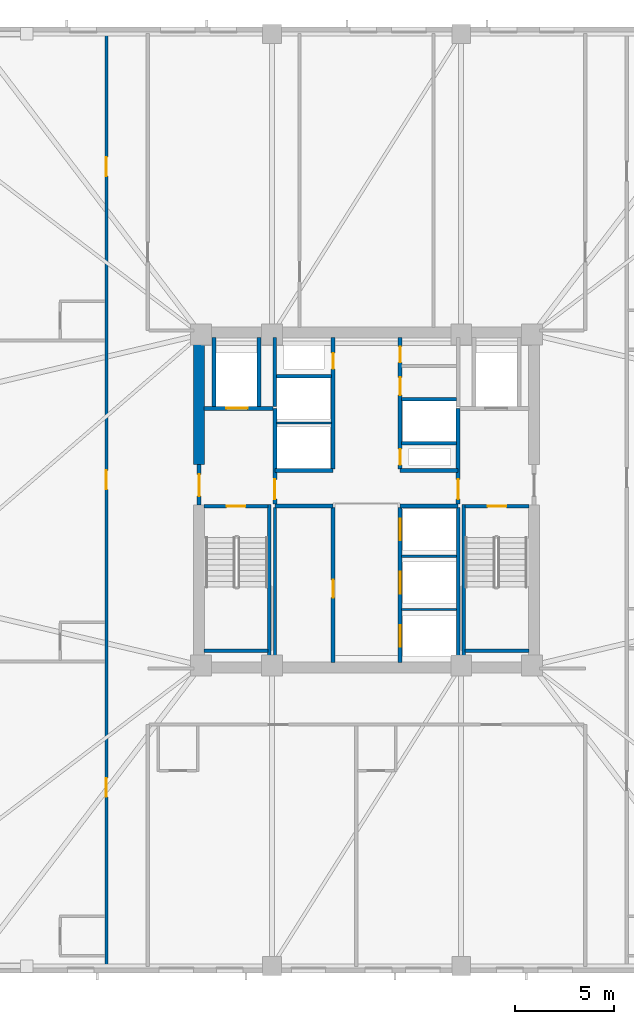
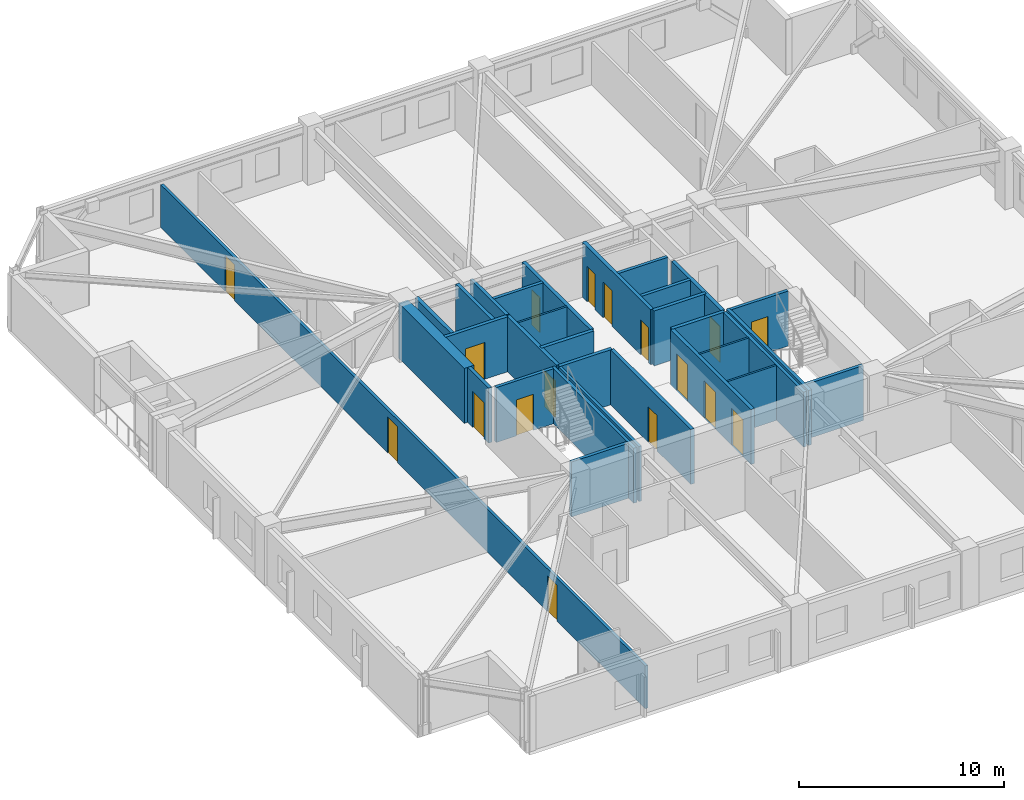
# One storey, part 3 of 10: 31 walls, 17 doors, 17 openings.
"""IFC4 building model written with IfcOpenShell, lengths in metres."""

from ifc_helpers import new_model, si_unit, direction, frame, frame_2d, origin, place, context, subcontext, project, spatial, rectangle, extrude, material, layer, layer_set, type_object, element, fill, save


model = new_model("IFC4")

# Units and contexts
model_context = context("Model", 3, precision=1e-05, world=origin(), true_north=direction((0.0, 1.0)))
body_context = subcontext(model_context, "Body", "Model", "MODEL_VIEW")
ifc_project = project(units=[si_unit("LENGTHUNIT", "METRE"), si_unit("AREAUNIT", "SQUARE_METRE"), si_unit("VOLUMEUNIT", "CUBIC_METRE"), si_unit("PLANEANGLEUNIT", "RADIAN"), si_unit("MASSUNIT", "GRAM", prefix="KILO")], contexts=[model_context])

# Site, building, storey
site_placement = place(None, origin())
site = spatial("IfcSite", under=ifc_project, at=site_placement, CompositionType="ELEMENT")
building_placement = place(site_placement, origin())
building = spatial("IfcBuilding", under=site, at=building_placement, Name="Cairnveth Concourse Tower", CompositionType="ELEMENT")
storey_placement = place(building_placement, frame((0.0, 0.0, 113.0)))
storey = spatial("IfcBuildingStorey", under=building, at=storey_placement, Name="L30", CompositionType="ELEMENT", Elevation=113.0)

# Wall
ifc_material_1 = material(Name="Gypsum Plasterboard Partition", Category="gypsum")
ifc_layer_1 = layer(ifc_material_1, 0.159912109375)
ifc_layer_set_1 = layer_set([ifc_layer_1], Name="Gypsum Plasterboard Partition")
wall_type_1 = type_object("IfcWallType", Name="ACOUSTIC PARTY WALL 180", PredefinedType="PARTITIONING", material=ifc_layer_set_1)
wall_1_placement = place(storey_placement, frame((47.35009765625, 30.760009765625, 0.0), z_axis=(0.0, 0.0, 1.0), x_axis=(0.0, 1.0, 0.0)))
element("IfcWall", 1, at=wall_1_placement, inside=storey, type_object=wall_type_1, Name="Interior Wall IW-L30-025", PredefinedType="PARTITIONING", context=body_context, shape_type="SweptSolid", body=[
    extrude(rectangle(XDim=7.85498046875, YDim=0.159912109375, at=frame_2d((3.927490234375, 0.0))), origin(), (0.0, 0.0, 1.0), 3.280029296875),
])

# Wall, openings, doors
wall_2_placement = place(storey_placement, frame((38.800048828125, 15.324951171875, 0.0), z_axis=(0.0, 0.0, 1.0), x_axis=(0.0, 1.0, 0.0)))
wall_2 = element("IfcWall", 2, at=wall_2_placement, inside=storey, type_object=wall_type_1, Name="Interior Wall IW-L30-036", PredefinedType="PARTITIONING", context=body_context, shape_type="SweptSolid", body=[
    extrude(rectangle(XDim=47.35009765625, YDim=0.159912109375, at=frame_2d((23.675048828125, 0.0))), origin(), (0.0, 0.0, 1.0), 2.554931640625),
])
opening_1_placement = place(wall_2_placement, frame((8.60595703125, 0.0, 0.0)))
opening_1 = element("IfcOpeningElement", 3, at=opening_1_placement, cuts=wall_2, Name="Opening ID09", PredefinedType="OPENING", context=body_context, shape_type="SweptSolid", body=[
    extrude(rectangle(XDim=0.9599609375, YDim=2.14990234375, at=frame_2d((0.47998046875, 1.074951171875))), frame((0.0, 0.08984375, 0.0), z_axis=(0.0, -1.0, 0.0), x_axis=(1.0, 0.0, 0.0)), (0.0, 0.0, 1.0), 0.179931640625),
])
opening_2_placement = place(wall_2_placement, frame((24.218017578125, 0.0, 0.0)))
opening_2 = element("IfcOpeningElement", 4, at=opening_2_placement, cuts=wall_2, Name="Opening ID09", PredefinedType="OPENING", context=body_context, shape_type="SweptSolid", body=[
    extrude(rectangle(XDim=0.9599609375, YDim=2.14990234375, at=frame_2d((0.47998046875, 1.074951171875))), frame((0.0, 0.08984375, 0.0), z_axis=(0.0, -1.0, 0.0), x_axis=(1.0, 0.0, 0.0)), (0.0, 0.0, 1.0), 0.179931640625),
])
opening_3_placement = place(wall_2_placement, frame((40.10693359375, 0.0, 0.0)))
opening_3 = element("IfcOpeningElement", 5, at=opening_3_placement, cuts=wall_2, Name="Opening ID09", PredefinedType="OPENING", context=body_context, shape_type="SweptSolid", body=[
    extrude(rectangle(XDim=0.9599609375, YDim=2.14990234375, at=frame_2d((0.47998046875, 1.074951171875))), frame((0.0, 0.08984375, 0.0), z_axis=(0.0, -1.0, 0.0), x_axis=(1.0, 0.0, 0.0)), (0.0, 0.0, 1.0), 0.179931640625),
])
ifc_material_2 = material(Name="Solid Core Hardwood Timber Leaf", Category="wood")
door_type_1 = type_object("IfcDoorType", Name="HOTEL ENTRANCE DOOR 960X2150", OperationType="NOTDEFINED", PredefinedType="DOOR", material=ifc_material_2)
door_1_placement = place(opening_1_placement, origin())
door_1 = element("IfcDoor", 6, at=door_1_placement, inside=storey, type_object=door_type_1, Name="Hotel Room Door L30-W1", OperationType="SINGLE_SWING_LEFT", OverallHeight=2.14990234375, OverallWidth=0.9599609375, PredefinedType="DOOR", context=body_context, shape_type="SweptSolid", body=[
    extrude(rectangle(XDim=0.9599609375, YDim=2.14990234375, at=frame_2d((0.47998046875, 1.074951171875))), frame((0.0, 0.02490234375, 0.0), z_axis=(0.0, -1.0, 0.0), x_axis=(1.0, 0.0, 0.0)), (0.0, 0.0, 1.0), 0.050048828125),
])
fill(opening_1, door_1)
door_2_placement = place(opening_2_placement, origin())
door_2 = element("IfcDoor", 7, at=door_2_placement, inside=storey, type_object=door_type_1, Name="Hotel Room Door L30-W2", OperationType="SINGLE_SWING_LEFT", OverallHeight=2.14990234375, OverallWidth=0.9599609375, PredefinedType="DOOR", context=body_context, shape_type="SweptSolid", body=[
    extrude(rectangle(XDim=0.9599609375, YDim=2.14990234375, at=frame_2d((0.47998046875, 1.074951171875))), frame((0.0, 0.02490234375, 0.0), z_axis=(0.0, -1.0, 0.0), x_axis=(1.0, 0.0, 0.0)), (0.0, 0.0, 1.0), 0.050048828125),
])
fill(opening_2, door_2)
door_3_placement = place(opening_3_placement, origin())
door_3 = element("IfcDoor", 8, at=door_3_placement, inside=storey, type_object=door_type_1, Name="Hotel Room Door L30-W3", OperationType="SINGLE_SWING_LEFT", OverallHeight=2.14990234375, OverallWidth=0.9599609375, PredefinedType="DOOR", context=body_context, shape_type="SweptSolid", body=[
    extrude(rectangle(XDim=0.9599609375, YDim=2.14990234375, at=frame_2d((0.47998046875, 1.074951171875))), frame((0.0, 0.02490234375, 0.0), z_axis=(0.0, -1.0, 0.0), x_axis=(1.0, 0.0, 0.0)), (0.0, 0.0, 1.0), 0.050048828125),
])
fill(opening_3, door_3)

# Walls
ifc_material_3 = material(Name="Concrete N80 (80 MPa)", Category="concrete")
ifc_layer_2 = layer(ifc_material_3, 0.550048828125)
ifc_layer_set_2 = layer_set([ifc_layer_2], Name="Concrete N80 (80 MPa)")
wall_type_2 = type_object("IfcWallType", Name="CORE SHEAR WALL 550", PredefinedType="SHEAR", material=ifc_layer_set_2)
wall_3_placement = place(storey_placement, frame((43.5, 40.800048828125, 0.0), z_axis=(0.0, 0.0, 1.0), x_axis=(0.0, 1.0, 0.0)))
element("IfcWall", 9, at=wall_3_placement, inside=storey, type_object=wall_type_2, Name="Core West Shear Wall N L30", PredefinedType="SHEAR", context=body_context, shape_type="SweptSolid", body=[
    extrude(rectangle(XDim=6.43505859375, YDim=0.550048828125, at=frame_2d((3.217529296875, 0.0))), origin(), (0.0, 0.0, 1.0), 3.280029296875),
])
ifc_material_4 = material(Name="Concrete N50 (50 MPa)", Category="concrete")
ifc_layer_3 = layer(ifc_material_4, 0.179931640625)
ifc_layer_set_3 = layer_set([ifc_layer_3], Name="Concrete N50 (50 MPa)")
wall_type_3 = type_object("IfcWallType", Name="FIRE SHAFT WALL 180", PredefinedType="SOLIDWALL", material=ifc_layer_set_3)
wall_4_placement = place(storey_placement, frame((56.64990234375, 30.760009765625, 0.0), z_axis=(0.0, 0.0, 1.0), x_axis=(0.0, 1.0, 0.0)))
element("IfcWall", 10, at=wall_4_placement, inside=storey, type_object=wall_type_3, Name="Interior Wall IW-L30-026", PredefinedType="SOLIDWALL", context=body_context, shape_type="SweptSolid", body=[
    extrude(rectangle(XDim=7.85498046875, YDim=0.179931640625, at=frame_2d((3.927490234375, 0.0))), origin(), (0.0, 0.0, 1.0), 3.280029296875),
])
wall_5_placement = place(storey_placement, frame((47.35009765625, 43.735107421875, 0.0), z_axis=(0.0, 0.0, 1.0), x_axis=(0.0, 1.0, 0.0)))
element("IfcWall", 11, at=wall_5_placement, inside=storey, type_object=wall_type_3, Name="Interior Wall IW-L30-029", PredefinedType="SOLIDWALL", context=body_context, shape_type="SweptSolid", body=[
    extrude(rectangle(XDim=3.5048828125, YDim=0.179931640625, at=frame_2d((1.75244140625, 0.0))), origin(), (0.0, 0.0, 1.0), 3.280029296875),
])
wall_6_placement = place(storey_placement, frame((47.425048828125, 45.280029296875, 0.0), z_axis=(0.0, 0.0, 1.0), x_axis=(1.0, 0.0, 0.0)))
element("IfcWall", 12, at=wall_6_placement, inside=storey, type_object=wall_type_3, Name="Interior Wall IW-L30-031", PredefinedType="SOLIDWALL", context=body_context, shape_type="SweptSolid", body=[
    extrude(rectangle(XDim=2.7900390625, YDim=0.179931640625, at=frame_2d((1.39501953125, 0.0))), origin(), (0.0, 0.0, 1.0), 3.280029296875),
])
wall_7_placement = place(storey_placement, frame((53.784912109375, 41.8798828125, 0.0), z_axis=(0.0, 0.0, 1.0), x_axis=(1.0, 0.0, 0.0)))
element("IfcWall", 13, at=wall_7_placement, inside=storey, type_object=wall_type_3, Name="Interior Wall IW-L30-033", PredefinedType="SOLIDWALL", context=body_context, shape_type="SweptSolid", body=[
    extrude(rectangle(XDim=2.780029296875, YDim=0.179931640625, at=frame_2d((1.39013671875, 0.0))), origin(), (0.0, 0.0, 1.0), 3.280029296875),
])
wall_8_placement = place(storey_placement, frame((53.784912109375, 44.1201171875, 0.0), z_axis=(0.0, 0.0, 1.0), x_axis=(1.0, 0.0, 0.0)))
element("IfcWall", 14, at=wall_8_placement, inside=storey, type_object=wall_type_3, Name="Interior Wall IW-L30-034", PredefinedType="SOLIDWALL", context=body_context, shape_type="SweptSolid", body=[
    extrude(rectangle(XDim=2.7900390625, YDim=0.179931640625, at=frame_2d((1.39501953125, 0.0))), origin(), (0.0, 0.0, 1.0), 3.280029296875),
])

# Wall, opening, door
wall_9_placement = place(storey_placement, frame((43.764892578125, 38.68994140625, 0.0), z_axis=(0.0, 0.0, 1.0), x_axis=(1.0, 0.0, 0.0)))
wall_9 = element("IfcWall", 15, at=wall_9_placement, inside=storey, type_object=wall_type_3, Name="Stair ST-1 Shaft Wall NEAR L30", PredefinedType="SOLIDWALL", context=body_context, shape_type="SweptSolid", body=[
    extrude(rectangle(XDim=3.230224609375, YDim=0.179931640625, at=frame_2d((1.615234375, 0.0))), origin(), (0.0, 0.0, 1.0), 3.280029296875),
])
opening_4_placement = place(wall_9_placement, frame((1.139892578125, 0.0, 0.0)))
opening_4 = element("IfcOpeningElement", 16, at=opening_4_placement, cuts=wall_9, Name="Opening ID12", PredefinedType="OPENING", context=body_context, shape_type="SweptSolid", body=[
    extrude(rectangle(XDim=0.949951171875, YDim=2.14990234375, at=frame_2d((0.47509765625, 1.074951171875))), frame((0.0, 0.099853515625, 0.0), z_axis=(0.0, -1.0, 0.0), x_axis=(1.0, 0.0, 0.0)), (0.0, 0.0, 1.0), 0.199951171875),
])
ifc_material_5 = material(Name="Steel Grade 350", Category="steel")
door_type_2 = type_object("IfcDoorType", Name="FIRE STAIR DOOR 950X2150", OperationType="NOTDEFINED", PredefinedType="DOOR", material=ifc_material_5)
door_4_placement = place(opening_4_placement, origin())
door_4 = element("IfcDoor", 17, at=door_4_placement, inside=storey, type_object=door_type_2, Name="Stair ST-1 Fire Door L30", OperationType="SINGLE_SWING_LEFT", OverallHeight=2.14990234375, OverallWidth=0.949951171875, PredefinedType="DOOR", context=body_context, shape_type="SweptSolid", body=[
    extrude(rectangle(XDim=0.949951171875, YDim=2.14990234375, at=frame_2d((0.47509765625, 1.074951171875))), frame((0.0, 0.02490234375, 0.0), z_axis=(0.0, -1.0, 0.0), x_axis=(1.0, 0.0, 0.0)), (0.0, 0.0, 1.0), 0.050048828125),
])
fill(opening_4, door_4)

# Walls
wall_10_placement = place(storey_placement, frame((43.764892578125, 31.360107421875, 0.0), z_axis=(0.0, 0.0, 1.0), x_axis=(1.0, 0.0, 0.0)))
element("IfcWall", 18, at=wall_10_placement, inside=storey, type_object=wall_type_3, Name="Stair ST-1 Shaft Wall FAR L30", PredefinedType="SOLIDWALL", context=body_context, shape_type="SweptSolid", body=[
    extrude(rectangle(XDim=3.230224609375, YDim=0.179931640625, at=frame_2d((1.615234375, 0.0))), origin(), (0.0, 0.0, 1.0), 3.280029296875),
])
wall_11_placement = place(storey_placement, frame((47.070068359375, 38.780029296875, 0.0), z_axis=(0.0, 0.0, 1.0), x_axis=(0.0, -1.0, 0.0)))
element("IfcWall", 19, at=wall_11_placement, inside=storey, type_object=wall_type_3, Name="Stair ST-1 Shaft Wall RGHT L30", PredefinedType="SOLIDWALL", context=body_context, shape_type="SweptSolid", body=[
    extrude(rectangle(XDim=8.01708984375, YDim=0.179931640625, at=frame_2d((4.008544921875, 0.0))), origin(), (0.0, 0.0, 1.0), 3.280029296875),
])

# Wall, opening, door
wall_12_placement = place(storey_placement, frame((57.0048828125, 38.68994140625, 0.0), z_axis=(0.0, 0.0, 1.0), x_axis=(1.0, 0.0, 0.0)))
wall_12 = element("IfcWall", 20, at=wall_12_placement, inside=storey, type_object=wall_type_3, Name="Stair ST-2 Shaft Wall NEAR L30", PredefinedType="SOLIDWALL", context=body_context, shape_type="SweptSolid", body=[
    extrude(rectangle(XDim=3.230224609375, YDim=0.179931640625, at=frame_2d((1.615234375, 0.0))), origin(), (0.0, 0.0, 1.0), 3.280029296875),
])
opening_5_placement = place(wall_12_placement, frame((1.139892578125, 0.0, 0.0)))
opening_5 = element("IfcOpeningElement", 21, at=opening_5_placement, cuts=wall_12, Name="Opening ID12", PredefinedType="OPENING", context=body_context, shape_type="SweptSolid", body=[
    extrude(rectangle(XDim=0.949951171875, YDim=2.14990234375, at=frame_2d((0.47509765625, 1.074951171875))), frame((0.0, 0.099853515625, 0.0), z_axis=(0.0, -1.0, 0.0), x_axis=(1.0, 0.0, 0.0)), (0.0, 0.0, 1.0), 0.199951171875),
])
door_5_placement = place(opening_5_placement, origin())
door_5 = element("IfcDoor", 22, at=door_5_placement, inside=storey, type_object=door_type_2, Name="Stair ST-2 Fire Door L30", OperationType="SINGLE_SWING_RIGHT", OverallHeight=2.14990234375, OverallWidth=0.949951171875, PredefinedType="DOOR", context=body_context, shape_type="SweptSolid", body=[
    extrude(rectangle(XDim=0.949951171875, YDim=2.14990234375, at=frame_2d((0.47509765625, 1.074951171875))), frame((0.0, 0.02490234375, 0.0), z_axis=(0.0, -1.0, 0.0), x_axis=(1.0, 0.0, 0.0)), (0.0, 0.0, 1.0), 0.050048828125),
])
fill(opening_5, door_5)

# Walls
wall_13_placement = place(storey_placement, frame((57.0048828125, 31.360107421875, 0.0), z_axis=(0.0, 0.0, 1.0), x_axis=(1.0, 0.0, 0.0)))
element("IfcWall", 23, at=wall_13_placement, inside=storey, type_object=wall_type_3, Name="Stair ST-2 Shaft Wall FAR L30", PredefinedType="SOLIDWALL", context=body_context, shape_type="SweptSolid", body=[
    extrude(rectangle(XDim=3.230224609375, YDim=0.179931640625, at=frame_2d((1.615234375, 0.0))), origin(), (0.0, 0.0, 1.0), 3.280029296875),
])
wall_14_placement = place(storey_placement, frame((56.929931640625, 38.780029296875, 0.0), z_axis=(0.0, 0.0, 1.0), x_axis=(0.0, -1.0, 0.0)))
element("IfcWall", 24, at=wall_14_placement, inside=storey, type_object=wall_type_3, Name="Stair ST-2 Shaft Wall LEFT L30", PredefinedType="SOLIDWALL", context=body_context, shape_type="SweptSolid", body=[
    extrude(rectangle(XDim=8.01708984375, YDim=0.179931640625, at=frame_2d((4.008544921875, 0.0))), origin(), (0.0, 0.0, 1.0), 3.280029296875),
])
ifc_layer_4 = layer(ifc_material_4, 0.199951171875)
ifc_layer_set_4 = layer_set([ifc_layer_4], Name="Concrete N50 (50 MPa)")
wall_type_4 = type_object("IfcWallType", Name="FIRE SHAFT WALL 200", PredefinedType="SOLIDWALL", material=ifc_layer_set_4)
for number, where, z_axis, x_axis, name in (
    (25, (47.35009765625, 38.699951171875, 0.0), (0.0, 0.0, 1.0), (1.0, 0.0, 0.0), "Interior Wall IW-L30-007"),
    (26, (47.35009765625, 40.5, 0.0), (0.0, 0.0, 1.0), (1.0, 0.0, 0.0), "Interior Wall IW-L30-008"),
    (27, (53.699951171875, 38.699951171875, 0.0), (0.0, 0.0, 1.0), (1.0, 0.0, 0.0), "Interior Wall IW-L30-009"),
    (28, (53.699951171875, 40.5, 0.0), (0.0, 0.0, 1.0), (1.0, 0.0, 0.0), "Interior Wall IW-L30-010"),
):
    element("IfcWall", number, at=place(storey_placement, frame(where, z_axis=z_axis, x_axis=x_axis)), inside=storey, type_object=wall_type_4, Name=name, PredefinedType="SOLIDWALL", context=body_context, shape_type="SweptSolid", body=[
        extrude(rectangle(XDim=2.949951171875, YDim=0.199951171875, at=frame_2d((1.47509765625, 0.0))), origin(), (0.0, 0.0, 1.0), 3.280029296875),
    ])

# Wall, opening, door
wall_15_placement = place(storey_placement, frame((50.300048828125, 30.760009765625, 0.0), z_axis=(0.0, 0.0, 1.0), x_axis=(0.0, 1.0, 0.0)))
wall_15 = element("IfcWall", 29, at=wall_15_placement, inside=storey, type_object=wall_type_4, Name="Interior Wall IW-L30-011", PredefinedType="SOLIDWALL", context=body_context, shape_type="SweptSolid", body=[
    extrude(rectangle(XDim=7.85498046875, YDim=0.199951171875, at=frame_2d((3.927490234375, 0.0))), origin(), (0.0, 0.0, 1.0), 3.280029296875),
])
opening_6_placement = place(wall_15_placement, frame((3.2900390625, 0.0, 0.0)))
opening_6 = element("IfcOpeningElement", 30, at=opening_6_placement, cuts=wall_15, Name="Opening ID16", PredefinedType="OPENING", context=body_context, shape_type="SweptSolid", body=[
    extrude(rectangle(XDim=0.89990234375, YDim=2.1201171875, at=frame_2d((0.449951171875, 1.06005859375))), frame((0.0, 0.10986328125, 0.0), z_axis=(0.0, -1.0, 0.0), x_axis=(1.0, 0.0, 0.0)), (0.0, 0.0, 1.0), 0.219970703125),
])
door_type_3 = type_object("IfcDoorType", Name="CORE SERVICE DOOR 900X2100", OperationType="NOTDEFINED", PredefinedType="DOOR", material=ifc_material_5)
door_6_placement = place(opening_6_placement, origin())
door_6 = element("IfcDoor", 31, at=door_6_placement, inside=storey, type_object=door_type_3, Name="Linen Pantry Suite Door L30", OperationType="SINGLE_SWING_LEFT", OverallHeight=2.1201171875, OverallWidth=0.89990234375, PredefinedType="DOOR", context=body_context, shape_type="SweptSolid", body=[
    extrude(rectangle(XDim=0.89990234375, YDim=2.1201171875, at=frame_2d((0.449951171875, 1.06005859375))), frame((0.0, 0.02490234375, 0.0), z_axis=(0.0, -1.0, 0.0), x_axis=(1.0, 0.0, 0.0)), (0.0, 0.0, 1.0), 0.050048828125),
])
fill(opening_6, door_6)

# Wall, openings, doors
wall_16_placement = place(storey_placement, frame((53.699951171875, 30.760009765625, 0.0), z_axis=(0.0, 0.0, 1.0), x_axis=(0.0, 1.0, 0.0)))
wall_16 = element("IfcWall", 32, at=wall_16_placement, inside=storey, type_object=wall_type_4, Name="Interior Wall IW-L30-012", PredefinedType="SOLIDWALL", context=body_context, shape_type="SweptSolid", body=[
    extrude(rectangle(XDim=7.85498046875, YDim=0.199951171875, at=frame_2d((3.927490234375, 0.0))), origin(), (0.0, 0.0, 1.0), 3.280029296875),
])
opening_7_placement = place(wall_16_placement, frame((0.7900390625, 0.0, 0.0)))
opening_7 = element("IfcOpeningElement", 33, at=opening_7_placement, cuts=wall_16, Name="Opening LD-1", PredefinedType="OPENING", context=body_context, shape_type="SweptSolid", body=[
    extrude(rectangle(XDim=1.10009765625, YDim=2.199951171875, at=frame_2d((0.550048828125, 1.10009765625))), frame((0.0, 0.10986328125, 0.0), z_axis=(0.0, -1.0, 0.0), x_axis=(1.0, 0.0, 0.0)), (0.0, 0.0, 1.0), 0.219970703125),
])
opening_8_placement = place(wall_16_placement, frame((3.489990234375, 0.0, 0.0)))
opening_8 = element("IfcOpeningElement", 34, at=opening_8_placement, cuts=wall_16, Name="Opening LD-1", PredefinedType="OPENING", context=body_context, shape_type="SweptSolid", body=[
    extrude(rectangle(XDim=1.10009765625, YDim=2.199951171875, at=frame_2d((0.550048828125, 1.10009765625))), frame((0.0, 0.10986328125, 0.0), z_axis=(0.0, -1.0, 0.0), x_axis=(1.0, 0.0, 0.0)), (0.0, 0.0, 1.0), 0.219970703125),
])
opening_9_placement = place(wall_16_placement, frame((6.18994140625, 0.0, 0.0)))
opening_9 = element("IfcOpeningElement", 35, at=opening_9_placement, cuts=wall_16, Name="Opening LD-1", PredefinedType="OPENING", context=body_context, shape_type="SweptSolid", body=[
    extrude(rectangle(XDim=1.10009765625, YDim=2.199951171875, at=frame_2d((0.550048828125, 1.10009765625))), frame((0.0, 0.10986328125, 0.0), z_axis=(0.0, -1.0, 0.0), x_axis=(1.0, 0.0, 0.0)), (0.0, 0.0, 1.0), 0.219970703125),
])
ifc_material_6 = material(Name="Architectural Bronze Anodised Aluminium 6063-T6", Category="aluminium")
door_type_4 = type_object("IfcDoorType", Name="LIFT LANDING DOOR 1100X2200", OperationType="SLIDING_TO_LEFT", PredefinedType="DOOR", material=ifc_material_6)
door_7_placement = place(opening_7_placement, origin())
door_7 = element("IfcDoor", 36, at=door_7_placement, inside=storey, type_object=door_type_4, Name="Lift PL4 Landing Door L30", OperationType="SLIDING_TO_LEFT", OverallHeight=2.199951171875, OverallWidth=1.10009765625, PredefinedType="DOOR", context=body_context, shape_type="SweptSolid", body=[
    extrude(rectangle(XDim=1.10009765625, YDim=2.199951171875, at=frame_2d((0.550048828125, 1.10009765625))), frame((0.0, 0.02490234375, 0.0), z_axis=(0.0, -1.0, 0.0), x_axis=(1.0, 0.0, 0.0)), (0.0, 0.0, 1.0), 0.050048828125),
])
fill(opening_7, door_7)
door_8_placement = place(opening_8_placement, origin())
door_8 = element("IfcDoor", 37, at=door_8_placement, inside=storey, type_object=door_type_4, Name="Lift PL5 Landing Door L30", OperationType="SLIDING_TO_LEFT", OverallHeight=2.199951171875, OverallWidth=1.10009765625, PredefinedType="DOOR", context=body_context, shape_type="SweptSolid", body=[
    extrude(rectangle(XDim=1.10009765625, YDim=2.199951171875, at=frame_2d((0.550048828125, 1.10009765625))), frame((0.0, 0.02490234375, 0.0), z_axis=(0.0, -1.0, 0.0), x_axis=(1.0, 0.0, 0.0)), (0.0, 0.0, 1.0), 0.050048828125),
])
fill(opening_8, door_8)
door_9_placement = place(opening_9_placement, origin())
door_9 = element("IfcDoor", 38, at=door_9_placement, inside=storey, type_object=door_type_4, Name="Lift PL6 Landing Door L30", OperationType="SLIDING_TO_LEFT", OverallHeight=2.199951171875, OverallWidth=1.10009765625, PredefinedType="DOOR", context=body_context, shape_type="SweptSolid", body=[
    extrude(rectangle(XDim=1.10009765625, YDim=2.199951171875, at=frame_2d((0.550048828125, 1.10009765625))), frame((0.0, 0.02490234375, 0.0), z_axis=(0.0, -1.0, 0.0), x_axis=(1.0, 0.0, 0.0)), (0.0, 0.0, 1.0), 0.050048828125),
])
fill(opening_9, door_9)

# Wall, opening, door
wall_17_placement = place(storey_placement, frame((50.300048828125, 40.5849609375, 0.0), z_axis=(0.0, 0.0, 1.0), x_axis=(0.0, 1.0, 0.0)))
wall_17 = element("IfcWall", 39, at=wall_17_placement, inside=storey, type_object=wall_type_4, Name="Interior Wall IW-L30-013", PredefinedType="SOLIDWALL", context=body_context, shape_type="SweptSolid", body=[
    extrude(rectangle(XDim=6.655029296875, YDim=0.199951171875, at=frame_2d((3.32763671875, 0.0))), origin(), (0.0, 0.0, 1.0), 3.280029296875),
])
opening_10_placement = place(wall_17_placement, frame((5.06494140625, 0.0, 0.0)))
opening_10 = element("IfcOpeningElement", 40, at=opening_10_placement, cuts=wall_17, Name="Opening ID24", PredefinedType="OPENING", context=body_context, shape_type="SweptSolid", body=[
    extrude(rectangle(XDim=0.800048828125, YDim=2.080078125, at=frame_2d((0.39990234375, 1.0400390625))), frame((0.0, 0.10986328125, 0.0), z_axis=(0.0, -1.0, 0.0), x_axis=(1.0, 0.0, 0.0)), (0.0, 0.0, 1.0), 0.219970703125),
])
door_type_5 = type_object("IfcDoorType", Name="RISER ACCESS DOOR 800X2100", OperationType="NOTDEFINED", PredefinedType="DOOR", material=ifc_material_5)
door_10_placement = place(opening_10_placement, origin())
door_10 = element("IfcDoor", 41, at=door_10_placement, inside=storey, type_object=door_type_5, Name="NW Electrical Riser Access Door L30", OperationType="SINGLE_SWING_LEFT", OverallHeight=2.080078125, OverallWidth=0.800048828125, PredefinedType="DOOR", context=body_context, shape_type="SweptSolid", body=[
    extrude(rectangle(XDim=0.800048828125, YDim=2.080078125, at=frame_2d((0.39990234375, 1.0400390625))), frame((0.0, 0.02490234375, 0.0), z_axis=(0.0, -1.0, 0.0), x_axis=(1.0, 0.0, 0.0)), (0.0, 0.0, 1.0), 0.050048828125),
])
fill(opening_10, door_10)

# Wall, openings, doors
wall_18_placement = place(storey_placement, frame((53.699951171875, 40.5849609375, 0.0), z_axis=(0.0, 0.0, 1.0), x_axis=(0.0, 1.0, 0.0)))
wall_18 = element("IfcWall", 42, at=wall_18_placement, inside=storey, type_object=wall_type_4, Name="Interior Wall IW-L30-014", PredefinedType="SOLIDWALL", context=body_context, shape_type="SweptSolid", body=[
    extrude(rectangle(XDim=6.655029296875, YDim=0.199951171875, at=frame_2d((3.32763671875, 0.0))), origin(), (0.0, 0.0, 1.0), 3.280029296875),
])
opening_11_placement = place(wall_18_placement, frame((0.195068359375, 0.0, 0.0)))
opening_11 = element("IfcOpeningElement", 43, at=opening_11_placement, cuts=wall_18, Name="Opening ID24", PredefinedType="OPENING", context=body_context, shape_type="SweptSolid", body=[
    extrude(rectangle(XDim=0.800048828125, YDim=2.080078125, at=frame_2d((0.39990234375, 1.0400390625))), frame((0.0, 0.10986328125, 0.0), z_axis=(0.0, -1.0, 0.0), x_axis=(1.0, 0.0, 0.0)), (0.0, 0.0, 1.0), 0.219970703125),
])
opening_12_placement = place(wall_18_placement, frame((3.735107421875, 0.0, 0.0)))
opening_12 = element("IfcOpeningElement", 44, at=opening_12_placement, cuts=wall_18, Name="Opening ID26", PredefinedType="OPENING", context=body_context, shape_type="SweptSolid", body=[
    extrude(rectangle(XDim=0.89990234375, YDim=2.1201171875, at=frame_2d((0.449951171875, 1.06005859375))), frame((0.0, 0.10986328125, 0.0), z_axis=(0.0, -1.0, 0.0), x_axis=(1.0, 0.0, 0.0)), (0.0, 0.0, 1.0), 0.219970703125),
])
opening_13_placement = place(wall_18_placement, frame((5.39501953125, 0.0, 0.0)))
opening_13 = element("IfcOpeningElement", 45, at=opening_13_placement, cuts=wall_18, Name="Opening ID23", PredefinedType="OPENING", context=body_context, shape_type="SweptSolid", body=[
    extrude(rectangle(XDim=0.800048828125, YDim=2.10009765625, at=frame_2d((0.39990234375, 1.050048828125))), frame((0.0, 0.10986328125, 0.0), z_axis=(0.0, -1.0, 0.0), x_axis=(1.0, 0.0, 0.0)), (0.0, 0.0, 1.0), 0.219970703125),
])
door_type_6 = type_object("IfcDoorType", Name="CORE SERVICE DOOR 800X2100", OperationType="NOTDEFINED", PredefinedType="DOOR", material=ifc_material_5)
door_11_placement = place(opening_13_placement, origin())
door_11 = element("IfcDoor", 46, at=door_11_placement, inside=storey, type_object=door_type_6, Name="Core NE Cleaners Door L30", OperationType="SINGLE_SWING_RIGHT", OverallHeight=2.10009765625, OverallWidth=0.800048828125, PredefinedType="DOOR", context=body_context, shape_type="SweptSolid", body=[
    extrude(rectangle(XDim=0.800048828125, YDim=2.10009765625, at=frame_2d((0.39990234375, 1.050048828125))), frame((0.0, 0.02490234375, 0.0), z_axis=(0.0, -1.0, 0.0), x_axis=(1.0, 0.0, 0.0)), (0.0, 0.0, 1.0), 0.050048828125),
])
fill(opening_13, door_11)
door_type_7 = type_object("IfcDoorType", Name="CORE TOILET FIRE DOOR 900X2120", OperationType="NOTDEFINED", PredefinedType="DOOR", material=ifc_material_5)
door_12_placement = place(opening_12_placement, origin())
door_12 = element("IfcDoor", 47, at=door_12_placement, inside=storey, type_object=door_type_7, Name="Core NE Unisex WC Door L30", OperationType="SINGLE_SWING_LEFT", OverallHeight=2.1201171875, OverallWidth=0.89990234375, PredefinedType="DOOR", context=body_context, shape_type="SweptSolid", body=[
    extrude(rectangle(XDim=0.89990234375, YDim=2.1201171875, at=frame_2d((0.449951171875, 1.06005859375))), frame((0.0, 0.02490234375, 0.0), z_axis=(0.0, -1.0, 0.0), x_axis=(1.0, 0.0, 0.0)), (0.0, 0.0, 1.0), 0.050048828125),
])
fill(opening_12, door_12)
door_13_placement = place(opening_11_placement, origin())
door_13 = element("IfcDoor", 48, at=door_13_placement, inside=storey, type_object=door_type_5, Name="Hydraulic Riser Door L30", OperationType="SINGLE_SWING_RIGHT", OverallHeight=2.080078125, OverallWidth=0.800048828125, PredefinedType="DOOR", context=body_context, shape_type="SweptSolid", body=[
    extrude(rectangle(XDim=0.800048828125, YDim=2.080078125, at=frame_2d((0.39990234375, 1.0400390625))), frame((0.0, 0.02490234375, 0.0), z_axis=(0.0, -1.0, 0.0), x_axis=(1.0, 0.0, 0.0)), (0.0, 0.0, 1.0), 0.050048828125),
])
fill(opening_11, door_13)

# Wall, opening, door
wall_19_placement = place(storey_placement, frame((43.5, 38.75, 0.0), z_axis=(0.0, 0.0, 1.0), x_axis=(0.0, 1.0, 0.0)))
wall_19 = element("IfcWall", 49, at=wall_19_placement, inside=storey, type_object=wall_type_4, Name="Interior Wall IW-L30-015", PredefinedType="SOLIDWALL", context=body_context, shape_type="SweptSolid", body=[
    extrude(rectangle(XDim=2.050048828125, YDim=0.199951171875, at=frame_2d((1.02490234375, 0.0))), origin(), (0.0, 0.0, 1.0), 3.280029296875),
])
opening_14_placement = place(wall_19_placement, frame((0.449951171875, 0.0, 0.0)))
opening_14 = element("IfcOpeningElement", 50, at=opening_14_placement, cuts=wall_19, Name="Opening ID06", PredefinedType="OPENING", context=body_context, shape_type="SweptSolid", body=[
    extrude(rectangle(XDim=1.10009765625, YDim=2.14990234375, at=frame_2d((0.550048828125, 1.074951171875))), frame((0.0, 0.10986328125, 0.0), z_axis=(0.0, -1.0, 0.0), x_axis=(1.0, 0.0, 0.0)), (0.0, 0.0, 1.0), 0.219970703125),
])
door_type_8 = type_object("IfcDoorType", Name="FIRE CORRIDOR DOOR 1100X2150", OperationType="NOTDEFINED", PredefinedType="DOOR", material=ifc_material_5)
door_14_placement = place(opening_14_placement, origin())
door_14 = element("IfcDoor", 51, at=door_14_placement, inside=storey, type_object=door_type_8, Name="West Wing to FF Lobby Door L30", OperationType="SINGLE_SWING_LEFT", OverallHeight=2.14990234375, OverallWidth=1.10009765625, PredefinedType="DOOR", context=body_context, shape_type="SweptSolid", body=[
    extrude(rectangle(XDim=1.10009765625, YDim=2.14990234375, at=frame_2d((0.550048828125, 1.074951171875))), frame((0.0, 0.02490234375, 0.0), z_axis=(0.0, -1.0, 0.0), x_axis=(1.0, 0.0, 0.0)), (0.0, 0.0, 1.0), 0.050048828125),
])
fill(opening_14, door_14)

wall_20_placement = place(storey_placement, frame((47.35009765625, 38.784912109375, 0.0), z_axis=(0.0, 0.0, 1.0), x_axis=(0.0, 1.0, 0.0)))
wall_20 = element("IfcWall", 52, at=wall_20_placement, inside=storey, type_object=wall_type_4, Name="Interior Wall IW-L30-016", PredefinedType="SOLIDWALL", context=body_context, shape_type="SweptSolid", body=[
    extrude(rectangle(XDim=4.864990234375, YDim=0.199951171875, at=frame_2d((2.4326171875, 0.0))), origin(), (0.0, 0.0, 1.0), 3.280029296875),
])
opening_15_placement = place(wall_20_placement, frame((0.264892578125, 0.0, 0.0)))
opening_15 = element("IfcOpeningElement", 53, at=opening_15_placement, cuts=wall_20, Name="Opening ID07", PredefinedType="OPENING", context=body_context, shape_type="SweptSolid", body=[
    extrude(rectangle(XDim=1.0, YDim=2.14990234375, at=frame_2d((0.5, 1.074951171875))), frame((0.0, 0.10986328125, 0.0), z_axis=(0.0, -1.0, 0.0), x_axis=(1.0, 0.0, 0.0)), (0.0, 0.0, 1.0), 0.219970703125),
])
door_type_9 = type_object("IfcDoorType", Name="FIRE CORRIDOR DOOR 1000X2150", OperationType="NOTDEFINED", PredefinedType="DOOR", material=ifc_material_5)
door_15_placement = place(opening_15_placement, origin())
door_15 = element("IfcDoor", 54, at=door_15_placement, inside=storey, type_object=door_type_9, Name="FF Lobby West to Lift Lobby Door L30", OperationType="SINGLE_SWING_RIGHT", OverallHeight=2.14990234375, OverallWidth=1.0, PredefinedType="DOOR", context=body_context, shape_type="SweptSolid", body=[
    extrude(rectangle(XDim=1.0, YDim=2.14990234375, at=frame_2d((0.5, 1.074951171875))), frame((0.0, 0.02490234375, 0.0), z_axis=(0.0, -1.0, 0.0), x_axis=(1.0, 0.0, 0.0)), (0.0, 0.0, 1.0), 0.050048828125),
])
fill(opening_15, door_15)

wall_21_placement = place(storey_placement, frame((43.760009765625, 43.64990234375, 0.0), z_axis=(0.0, 0.0, 1.0), x_axis=(1.0, 0.0, 0.0)))
wall_21 = element("IfcWall", 55, at=wall_21_placement, inside=storey, type_object=wall_type_4, Name="Interior Wall IW-L30-017", PredefinedType="SOLIDWALL", context=body_context, shape_type="SweptSolid", body=[
    extrude(rectangle(XDim=3.5048828125, YDim=0.199951171875, at=frame_2d((1.75244140625, 0.0))), origin(), (0.0, 0.0, 1.0), 3.280029296875),
])
opening_16_placement = place(wall_21_placement, frame((1.110107421875, 0.0, 0.0)))
opening_16 = element("IfcOpeningElement", 56, at=opening_16_placement, cuts=wall_21, Name="Opening LD-1", PredefinedType="OPENING", context=body_context, shape_type="SweptSolid", body=[
    extrude(rectangle(XDim=1.10009765625, YDim=2.199951171875, at=frame_2d((0.550048828125, 1.10009765625))), frame((0.0, 0.10986328125, 0.0), z_axis=(0.0, -1.0, 0.0), x_axis=(1.0, 0.0, 0.0)), (0.0, 0.0, 1.0), 0.219970703125),
])
door_16_placement = place(opening_16_placement, origin())
door_16 = element("IfcDoor", 57, at=door_16_placement, inside=storey, type_object=door_type_4, Name="Lift FFL1 Landing Door L30", OperationType="SLIDING_TO_LEFT", OverallHeight=2.199951171875, OverallWidth=1.10009765625, PredefinedType="DOOR", context=body_context, shape_type="SweptSolid", body=[
    extrude(rectangle(XDim=1.10009765625, YDim=2.199951171875, at=frame_2d((0.550048828125, 1.10009765625))), frame((0.0, 0.02490234375, 0.0), z_axis=(0.0, -1.0, 0.0), x_axis=(1.0, 0.0, 0.0)), (0.0, 0.0, 1.0), 0.050048828125),
])
fill(opening_16, door_16)

# Walls
for number, where, z_axis, x_axis, name in (
    (58, (46.550048828125, 43.735107421875, 0.0), (0.0, 0.0, 1.0), (0.0, 1.0, 0.0), "Interior Wall IW-L30-018"),
    (59, (44.25, 43.735107421875, 0.0), (0.0, 0.0, 1.0), (0.0, 1.0, 0.0), "Interior Wall IW-L30-019"),
):
    element("IfcWall", number, at=place(storey_placement, frame(where, z_axis=z_axis, x_axis=x_axis)), inside=storey, type_object=wall_type_4, Name=name, PredefinedType="SOLIDWALL", context=body_context, shape_type="SweptSolid", body=[
        extrude(rectangle(XDim=3.5048828125, YDim=0.199951171875, at=frame_2d((1.75244140625, 0.0))), origin(), (0.0, 0.0, 1.0), 3.280029296875),
    ])

# Wall, opening, door
wall_22_placement = place(storey_placement, frame((56.64990234375, 38.784912109375, 0.0), z_axis=(0.0, 0.0, 1.0), x_axis=(0.0, 1.0, 0.0)))
wall_22 = element("IfcWall", 60, at=wall_22_placement, inside=storey, type_object=wall_type_4, Name="Interior Wall IW-L30-021", PredefinedType="SOLIDWALL", context=body_context, shape_type="SweptSolid", body=[
    extrude(rectangle(XDim=4.864990234375, YDim=0.199951171875, at=frame_2d((2.4326171875, 0.0))), origin(), (0.0, 0.0, 1.0), 3.280029296875),
])
opening_17_placement = place(wall_22_placement, frame((0.264892578125, 0.0, 0.0)))
opening_17 = element("IfcOpeningElement", 61, at=opening_17_placement, cuts=wall_22, Name="Opening ID07", PredefinedType="OPENING", context=body_context, shape_type="SweptSolid", body=[
    extrude(rectangle(XDim=1.0, YDim=2.14990234375, at=frame_2d((0.5, 1.074951171875))), frame((0.0, 0.10986328125, 0.0), z_axis=(0.0, -1.0, 0.0), x_axis=(1.0, 0.0, 0.0)), (0.0, 0.0, 1.0), 0.219970703125),
])
door_17_placement = place(opening_17_placement, origin())
door_17 = element("IfcDoor", 62, at=door_17_placement, inside=storey, type_object=door_type_9, Name="FF Lobby East to Lift Lobby Door L30", OperationType="SINGLE_SWING_LEFT", OverallHeight=2.14990234375, OverallWidth=1.0, PredefinedType="DOOR", context=body_context, shape_type="SweptSolid", body=[
    extrude(rectangle(XDim=1.0, YDim=2.14990234375, at=frame_2d((0.5, 1.074951171875))), frame((0.0, 0.02490234375, 0.0), z_axis=(0.0, -1.0, 0.0), x_axis=(1.0, 0.0, 0.0)), (0.0, 0.0, 1.0), 0.050048828125),
])
fill(opening_17, door_17)

# Walls
ifc_layer_5 = layer(ifc_material_1, 0.110107421875)
ifc_layer_set_5 = layer_set([ifc_layer_5], Name="Gypsum Plasterboard Partition")
wall_type_5 = type_object("IfcWallType", Name="SHAFT DIVIDER WALL 140", PredefinedType="PARTITIONING", material=ifc_layer_set_5)
for number, where, z_axis, x_axis, name in (
    (63, (53.784912109375, 33.449951171875, 0.0), (0.0, 0.0, 1.0), (1.0, 0.0, 0.0), "Interior Wall IW-L30-027"),
    (64, (53.784912109375, 36.14990234375, 0.0), (0.0, 0.0, 1.0), (1.0, 0.0, 0.0), "Interior Wall IW-L30-028"),
):
    element("IfcWall", number, at=place(storey_placement, frame(where, z_axis=z_axis, x_axis=x_axis)), inside=storey, type_object=wall_type_5, Name=name, PredefinedType="PARTITIONING", context=body_context, shape_type="SweptSolid", body=[
        extrude(rectangle(XDim=2.7900390625, YDim=0.110107421875, at=frame_2d((1.39501953125, 0.0))), origin(), (0.0, 0.0, 1.0), 3.280029296875),
    ])
wall_23_placement = place(storey_placement, frame((47.43505859375, 42.89990234375, 0.0), z_axis=(0.0, 0.0, 1.0), x_axis=(1.0, 0.0, 0.0)))
element("IfcWall", 65, at=wall_23_placement, inside=storey, type_object=wall_type_5, Name="Interior Wall IW-L30-030", PredefinedType="PARTITIONING", context=body_context, shape_type="SweptSolid", body=[
    extrude(rectangle(XDim=2.780029296875, YDim=0.110107421875, at=frame_2d((1.39013671875, 0.0))), origin(), (0.0, 0.0, 1.0), 3.280029296875),
])

save(model, "model.ifc")
